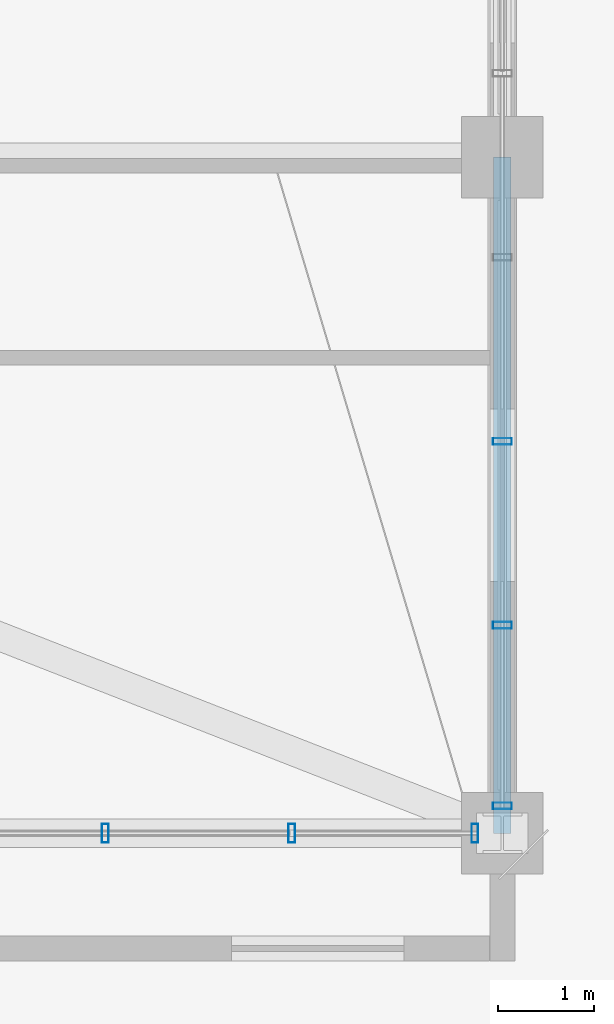
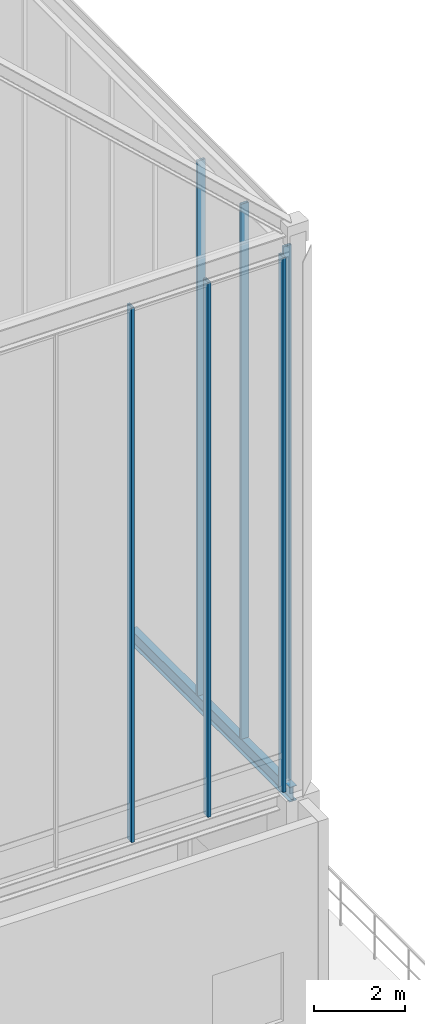
# One storey, part 31 of 49: 6 members, 1 beam, 2 elements without a shape of their own.
"""IFC4 building model written with IfcOpenShell, lengths in metres."""

from ifc_helpers import new_model, si_unit, direction, frame, origin, origin_2d, place, context, subcontext, project, spatial, hollow_rectangle, i_section, extrude, source, transform, mapped, material, layer, layer_set, material_profile, profile_set, type_object, element, aggregate, save


model = new_model("IFC4")

# Units and contexts
model_context = context("Model", 3, precision=1e-05, world=origin(), true_north=direction((0.0, 1.0)))
body_context = subcontext(model_context, "Body", "Model", "MODEL_VIEW")
ifc_project = project(units=[si_unit("LENGTHUNIT", "METRE"), si_unit("AREAUNIT", "SQUARE_METRE"), si_unit("VOLUMEUNIT", "CUBIC_METRE"), si_unit("PLANEANGLEUNIT", "RADIAN"), si_unit("MASSUNIT", "GRAM", prefix="KILO")], contexts=[model_context])

# Site, building, storey
site_placement = place(None, origin())
site = spatial("IfcSite", under=ifc_project, at=site_placement, CompositionType="ELEMENT")
building_placement = place(site_placement, origin())
building = spatial("IfcBuilding", under=site, at=building_placement, Name="Kaliganga Portal Commons", CompositionType="ELEMENT")
storey_placement = place(building_placement, frame((0.0, 0.0, 298.0)))
storey = spatial("IfcBuildingStorey", under=building, at=storey_placement, Name="L77", CompositionType="ELEMENT", Elevation=298.0)

# Beam
ifc_material_1 = material(Name="Structural steel S355J2", Category="steel")
ifc_material_profile_1 = material_profile(ifc_material_1, i_section(OverallWidth=0.179931640625, OverallDepth=0.39990234375, WebThickness=0.008544921875, FlangeThickness=0.013427734375, FilletRadius=0.02099609375, at=origin_2d()), Name="IPE 400")
ifc_profile_set_1 = profile_set([ifc_material_profile_1], Name="Structural steel S355J2 wide-flange")
beam_type = type_object("IfcBeamType", Name="BM-FLR-400", PredefinedType="BEAM", material=ifc_profile_set_1)
shared_shape_1 = source(origin(), body_context, "Body", "SweptSolid", [
    extrude(i_section(OverallWidth=0.179931640625, OverallDepth=0.39990234375, WebThickness=0.008544921875, FlangeThickness=0.013427734375, FilletRadius=0.02099609375, at=origin_2d()), origin(), (0.0, 0.0, 1.0), 7.0498046875),
])
beam_placement = place(storey_placement, frame((46.800048828125, 21.60009765625, 5.800048828125), z_axis=(0.0, 1.0, 0.0), x_axis=(-1.0, 0.0, 0.0)))
element("IfcBeam", 1, at=beam_placement, inside=storey, type_object=beam_type, Name="BM G L77 AS468", PredefinedType="BEAM", context=body_context, shape_type="MappedRepresentation", body=[
    mapped(shared_shape_1, transform((0.0, 0.0, 0.0), x_axis=(1.0, 0.0, 0.0), y_axis=(0.0, 1.0, 0.0), z_axis=(0.0, 0.0, 1.0), scale=1.0)),
])

# Curtain wall, members
ifc_material_2 = material(Name="Anodized Aluminium and Laminated Low-E Glass", Category="aluminium")
ifc_layer = layer(ifc_material_2, 0.25)
ifc_layer_set = layer_set([ifc_layer], Name="Anodized Aluminium and Laminated Low-E Glass")
curtain_wall_type = type_object("IfcCurtainWallType", Name="CW-SYS-06", PredefinedType="NOTDEFINED", material=ifc_layer_set)
curtain_wall_1_placement = place(storey_placement, origin())
curtain_wall_1 = element("IfcCurtainWall", 2, at=curtain_wall_1_placement, inside=storey, type_object=curtain_wall_type, Name="CW 06 L77 SE", PredefinedType="NOTDEFINED")
ifc_material_3 = material(Name="Dark Bronze Anodized Aluminium", Category="aluminium")
ifc_material_profile_2 = material_profile(ifc_material_3, hollow_rectangle(XDim=0.070068359375, YDim=0.199951171875, WallThickness=0.00390625, at=origin_2d()), Name="ALU MULL 70x200x4")
ifc_profile_set_2 = profile_set([ifc_material_profile_2], Name="Dark Bronze Anodized Aluminium")
member_type = type_object("IfcMemberType", Name="CW-MUL-220", PredefinedType="MULLION", material=ifc_profile_set_2)
shared_shape_2 = source(origin(), body_context, "Body", "SweptSolid", [
    extrude(hollow_rectangle(XDim=0.070068359375, YDim=0.199951171875, WallThickness=0.00390625, at=origin_2d()), origin(), (0.0, 0.0, 1.0), 14.39990234375),
])
member_1_placement = place(storey_placement, frame((42.6611328125, 21.60009765625, 6.0), z_axis=(0.0, 0.0, 1.0), x_axis=(1.0, 0.0, 0.0)))
member_1 = element("IfcMember", 3, at=member_1_placement, type_object=member_type, Name="CW:06:L77:SE Mullion 07", PredefinedType="MULLION", context=body_context, shape_type="MappedRepresentation", body=[
    mapped(shared_shape_2, transform((0.0, 0.0, 0.0), x_axis=(1.0, 0.0, 0.0), y_axis=(0.0, 1.0, 0.0), z_axis=(0.0, 0.0, 1.0), scale=1.0)),
])
member_2_placement = place(storey_placement, frame((44.605712890625, 21.60009765625, 6.0), z_axis=(0.0, 0.0, 1.0), x_axis=(1.0, 0.0, 0.0)))
member_2 = element("IfcMember", 4, at=member_2_placement, type_object=member_type, Name="CW:06:L77:SE Mullion 08", PredefinedType="MULLION", context=body_context, shape_type="MappedRepresentation", body=[
    mapped(shared_shape_2, transform((0.0, 0.0, 0.0), x_axis=(1.0, 0.0, 0.0), y_axis=(0.0, 1.0, 0.0), z_axis=(0.0, 0.0, 1.0), scale=1.0)),
])
member_3_placement = place(storey_placement, frame((46.514892578125, 21.60009765625, 6.0), z_axis=(0.0, 0.0, 1.0), x_axis=(1.0, 0.0, 0.0)))
member_3 = element("IfcMember", 5, at=member_3_placement, type_object=member_type, Name="CW:06:L77:SE Mullion 09", PredefinedType="MULLION", context=body_context, shape_type="MappedRepresentation", body=[
    mapped(shared_shape_2, transform((0.0, 0.0, 0.0), x_axis=(1.0, 0.0, 0.0), y_axis=(0.0, 1.0, 0.0), z_axis=(0.0, 0.0, 1.0), scale=1.0)),
])
aggregate(curtain_wall_1, [member_1, member_2, member_3])

curtain_wall_2_placement = place(storey_placement, origin())
curtain_wall_2 = element("IfcCurtainWall", 6, at=curtain_wall_2_placement, inside=storey, type_object=curtain_wall_type, Name="CW 06 L77 E", PredefinedType="NOTDEFINED")
member_4_placement = place(storey_placement, frame((46.800048828125, 21.885009765625, 6.0), z_axis=(0.0, 0.0, 1.0), x_axis=(0.0, 1.0, 0.0)))
member_4 = element("IfcMember", 7, at=member_4_placement, type_object=member_type, Name="CW:06:L77:E Mullion 00", PredefinedType="MULLION", context=body_context, shape_type="MappedRepresentation", body=[
    mapped(shared_shape_2, transform((0.0, 0.0, 0.0), x_axis=(1.0, 0.0, 0.0), y_axis=(0.0, 1.0, 0.0), z_axis=(0.0, 0.0, 1.0), scale=1.0)),
])
member_5_placement = place(storey_placement, frame((46.800048828125, 23.768310546875, 6.0), z_axis=(0.0, 0.0, 1.0), x_axis=(0.0, 1.0, 0.0)))
member_5 = element("IfcMember", 8, at=member_5_placement, type_object=member_type, Name="CW:06:L77:E Mullion 01", PredefinedType="MULLION", context=body_context, shape_type="MappedRepresentation", body=[
    mapped(shared_shape_2, transform((0.0, 0.0, 0.0), x_axis=(1.0, 0.0, 0.0), y_axis=(0.0, 1.0, 0.0), z_axis=(0.0, 0.0, 1.0), scale=1.0)),
])
member_6_placement = place(storey_placement, frame((46.800048828125, 25.686279296875, 6.0), z_axis=(0.0, 0.0, 1.0), x_axis=(0.0, 1.0, 0.0)))
member_6 = element("IfcMember", 9, at=member_6_placement, type_object=member_type, Name="CW:06:L77:E Mullion 02", PredefinedType="MULLION", context=body_context, shape_type="MappedRepresentation", body=[
    mapped(shared_shape_2, transform((0.0, 0.0, 0.0), x_axis=(1.0, 0.0, 0.0), y_axis=(0.0, 1.0, 0.0), z_axis=(0.0, 0.0, 1.0), scale=1.0)),
])
aggregate(curtain_wall_2, [member_4, member_5, member_6])

save(model, "model.ifc")
